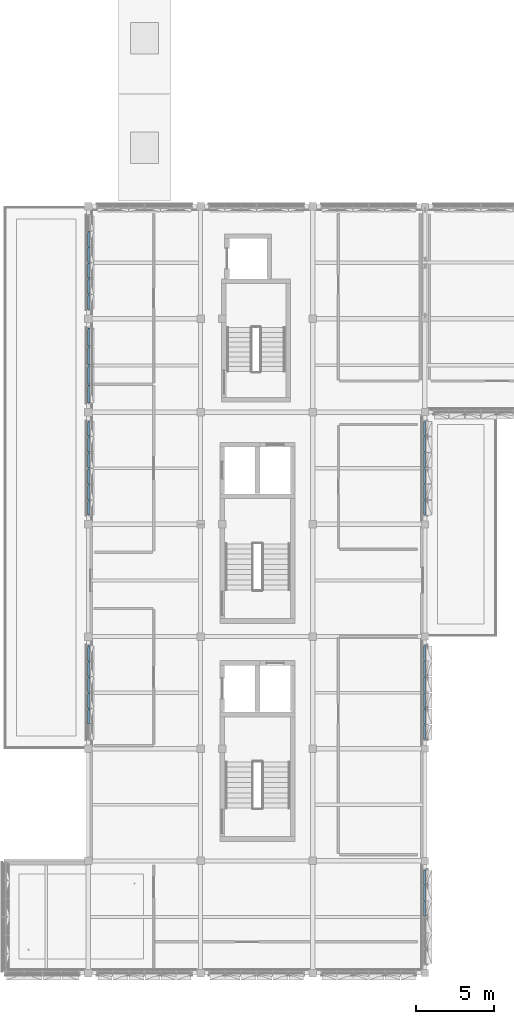
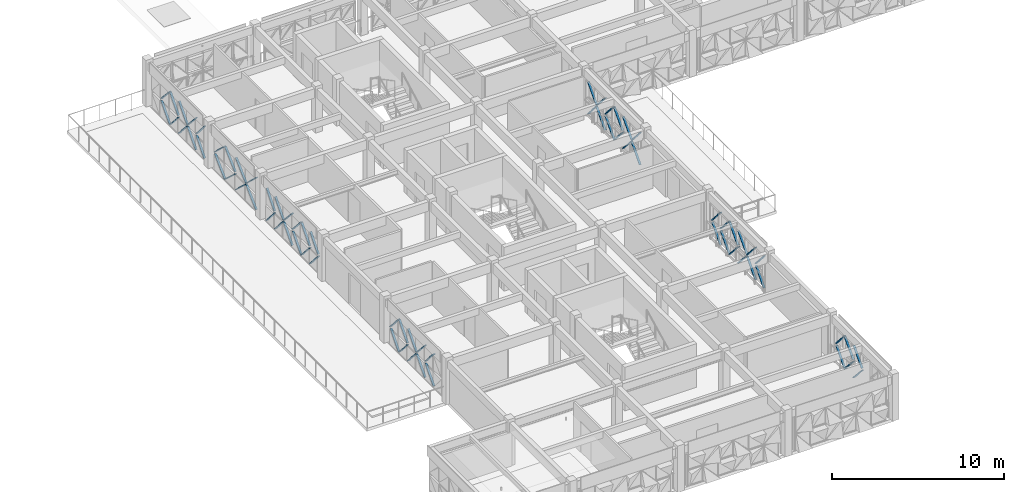
# One storey, part 22 of 35: 70 discrete accessories.
"""IFC4 building model written with IfcOpenShell, lengths in metres."""

from ifc_helpers import new_model, si_unit, direction, frame, origin, origin_2d, place, context, subcontext, project, spatial, rectangle, extrude, material, type_object, element, save


model = new_model("IFC4")

# Units and contexts
model_context = context("Model", 3, precision=1e-05, world=origin(), true_north=direction((0.0, 1.0)))
body_context = subcontext(model_context, "Body", "Model", "MODEL_VIEW")
ifc_project = project(units=[si_unit("LENGTHUNIT", "METRE"), si_unit("AREAUNIT", "SQUARE_METRE"), si_unit("VOLUMEUNIT", "CUBIC_METRE"), si_unit("PLANEANGLEUNIT", "RADIAN"), si_unit("MASSUNIT", "GRAM", prefix="KILO")], contexts=[model_context])

# Site, building, storey
site_placement = place(None, origin())
site = spatial("IfcSite", under=ifc_project, at=site_placement, CompositionType="ELEMENT")
building_placement = place(site_placement, origin())
building = spatial("IfcBuilding", under=site, at=building_placement, Name="Alvorim Cloister Faculty of Sciences", CompositionType="ELEMENT")
storey_placement = place(building_placement, frame((0.0, 0.0, 22.949951171875)))
storey = spatial("IfcBuildingStorey", under=building, at=storey_placement, Name="L06", CompositionType="ELEMENT", Elevation=22.949951171875)

# Discrete accessories
ifc_material = material(Name="Aluminium Alloy 6063-T6", Category="aluminium")
discrete_accessory_type = type_object("IfcDiscreteAccessoryType", Name="ACC-DIAG-BAR", PredefinedType="BRACKET", material=ifc_material)
discrete_accessory_1_placement = place(storey_placement, frame((7.222412109375, 23.1923828125, 0.14013671875), z_axis=(0.006997313603, 0.66764611748, 0.744445900933), x_axis=(-0.999945083323, 0.010479997039, 0.0)))
element("IfcDiscreteAccessory", 1, at=discrete_accessory_1_placement, inside=storey, type_object=discrete_accessory_type, Name="Diagonal Cassette Glazing Bracket ACC-02633", PredefinedType="BRACKET", context=body_context, shape_type="SweptSolid", body=[
    extrude(rectangle(XDim=0.139892578125, YDim=0.044921875, at=origin_2d()), origin(), (0.0, 0.0, 1.0), 1.430419921875),
])
discrete_accessory_2_placement = place(storey_placement, frame((7.222412109375, 23.1923828125, 2.41015625), z_axis=(0.00699642465, 0.667561298321, -0.744521969472), x_axis=(-0.999945083323, 0.010479997039, 0.0)))
element("IfcDiscreteAccessory", 2, at=discrete_accessory_2_placement, inside=storey, type_object=discrete_accessory_type, Name="Diagonal Cassette Glazing Bracket ACC-02634", PredefinedType="BRACKET", context=body_context, shape_type="SweptSolid", body=[
    extrude(rectangle(XDim=0.139892578125, YDim=0.044921875, at=origin_2d()), origin(), (0.0, 0.0, 1.0), 1.4306640625),
])
discrete_accessory_3_placement = place(storey_placement, frame((7.222412109375, 24.21240234375, 0.14013671875), z_axis=(0.006997313603, 0.66764611748, 0.744445900933), x_axis=(-0.999945083323, 0.010479997039, 0.0)))
element("IfcDiscreteAccessory", 3, at=discrete_accessory_3_placement, inside=storey, type_object=discrete_accessory_type, Name="Diagonal Cassette Glazing Bracket ACC-02635", PredefinedType="BRACKET", context=body_context, shape_type="SweptSolid", body=[
    extrude(rectangle(XDim=0.139892578125, YDim=0.044921875, at=origin_2d()), origin(), (0.0, 0.0, 1.0), 1.430419921875),
])
discrete_accessory_4_placement = place(storey_placement, frame((7.222412109375, 24.21240234375, 2.41015625), z_axis=(0.00699642465, 0.667561298321, -0.744521969472), x_axis=(-0.999945083323, 0.010479997039, 0.0)))
element("IfcDiscreteAccessory", 4, at=discrete_accessory_4_placement, inside=storey, type_object=discrete_accessory_type, Name="Diagonal Cassette Glazing Bracket ACC-02636", PredefinedType="BRACKET", context=body_context, shape_type="SweptSolid", body=[
    extrude(rectangle(XDim=0.139892578125, YDim=0.044921875, at=origin_2d()), origin(), (0.0, 0.0, 1.0), 1.4306640625),
])
discrete_accessory_5_placement = place(storey_placement, frame((7.222412109375, 25.232421875, 1.205078125), z_axis=(0.006997313603, 0.66764611748, -0.744445900933), x_axis=(-0.999945083323, 0.010479997039, 0.0)))
element("IfcDiscreteAccessory", 5, at=discrete_accessory_5_placement, inside=storey, type_object=discrete_accessory_type, Name="Diagonal Cassette Glazing Bracket ACC-02637", PredefinedType="BRACKET", context=body_context, shape_type="SweptSolid", body=[
    extrude(rectangle(XDim=0.139892578125, YDim=0.044921875, at=origin_2d()), origin(), (0.0, 0.0, 1.0), 1.430419921875),
])
discrete_accessory_6_placement = place(storey_placement, frame((7.222412109375, 25.232421875, 1.344970703125), z_axis=(0.00699642465, 0.667561298321, 0.744521969472), x_axis=(-0.999945083323, 0.010479997039, 0.0)))
element("IfcDiscreteAccessory", 6, at=discrete_accessory_6_placement, inside=storey, type_object=discrete_accessory_type, Name="Diagonal Cassette Glazing Bracket ACC-02638", PredefinedType="BRACKET", context=body_context, shape_type="SweptSolid", body=[
    extrude(rectangle(XDim=0.139892578125, YDim=0.044921875, at=origin_2d()), origin(), (0.0, 0.0, 1.0), 1.4306640625),
])
discrete_accessory_7_placement = place(storey_placement, frame((7.222412109375, 26.25244140625, 1.205078125), z_axis=(0.006997313603, 0.66764611748, -0.744445900933), x_axis=(-0.999945083323, 0.010479997039, 0.0)))
element("IfcDiscreteAccessory", 7, at=discrete_accessory_7_placement, inside=storey, type_object=discrete_accessory_type, Name="Diagonal Cassette Glazing Bracket ACC-02639", PredefinedType="BRACKET", context=body_context, shape_type="SweptSolid", body=[
    extrude(rectangle(XDim=0.139892578125, YDim=0.044921875, at=origin_2d()), origin(), (0.0, 0.0, 1.0), 1.430419921875),
])
discrete_accessory_8_placement = place(storey_placement, frame((7.222412109375, 26.25244140625, 1.344970703125), z_axis=(0.00699642465, 0.667561298321, 0.744521969472), x_axis=(-0.999945083323, 0.010479997039, 0.0)))
element("IfcDiscreteAccessory", 8, at=discrete_accessory_8_placement, inside=storey, type_object=discrete_accessory_type, Name="Diagonal Cassette Glazing Bracket ACC-02640", PredefinedType="BRACKET", context=body_context, shape_type="SweptSolid", body=[
    extrude(rectangle(XDim=0.139892578125, YDim=0.044921875, at=origin_2d()), origin(), (0.0, 0.0, 1.0), 1.4306640625),
])
discrete_accessory_9_placement = place(storey_placement, frame((7.222412109375, 27.2724609375, 0.14013671875), z_axis=(0.007103941389, 0.654775475811, 0.755790057022), x_axis=(-0.999941150118, 0.010848792579, 0.0)))
element("IfcDiscreteAccessory", 9, at=discrete_accessory_9_placement, inside=storey, type_object=discrete_accessory_type, Name="Diagonal Cassette Glazing Bracket ACC-02641", PredefinedType="BRACKET", context=body_context, shape_type="SweptSolid", body=[
    extrude(rectangle(XDim=0.139892578125, YDim=0.044921875, at=origin_2d()), origin(), (0.0, 0.0, 1.0), 1.408935546875),
])
discrete_accessory_10_placement = place(storey_placement, frame((7.222412109375, 27.2724609375, 2.41015625), z_axis=(0.00710301118, 0.654689737769, -0.755864336037), x_axis=(-0.999941150118, 0.010848792579, 0.0)))
element("IfcDiscreteAccessory", 10, at=discrete_accessory_10_placement, inside=storey, type_object=discrete_accessory_type, Name="Diagonal Cassette Glazing Bracket ACC-02642", PredefinedType="BRACKET", context=body_context, shape_type="SweptSolid", body=[
    extrude(rectangle(XDim=0.139892578125, YDim=0.044921875, at=origin_2d()), origin(), (0.0, 0.0, 1.0), 1.4091796875),
])
discrete_accessory_11_placement = place(storey_placement, frame((7.222412109375, 36.60498046875, 1.205078125), z_axis=(0.007103941389, 0.654775475811, -0.755790057022), x_axis=(-0.999941150118, 0.010848792579, 0.0)))
element("IfcDiscreteAccessory", 11, at=discrete_accessory_11_placement, inside=storey, type_object=discrete_accessory_type, Name="Diagonal Cassette Glazing Bracket ACC-02644", PredefinedType="BRACKET", context=body_context, shape_type="SweptSolid", body=[
    extrude(rectangle(XDim=0.139892578125, YDim=0.044921875, at=origin_2d()), origin(), (0.0, 0.0, 1.0), 1.408935546875),
])
discrete_accessory_12_placement = place(storey_placement, frame((7.222412109375, 36.60498046875, 1.344970703125), z_axis=(0.00710301118, 0.654689737769, 0.755864336037), x_axis=(-0.999941150118, 0.010848792579, 0.0)))
element("IfcDiscreteAccessory", 12, at=discrete_accessory_12_placement, inside=storey, type_object=discrete_accessory_type, Name="Diagonal Cassette Glazing Bracket ACC-02645", PredefinedType="BRACKET", context=body_context, shape_type="SweptSolid", body=[
    extrude(rectangle(XDim=0.139892578125, YDim=0.044921875, at=origin_2d()), origin(), (0.0, 0.0, 1.0), 1.4091796875),
])
discrete_accessory_13_placement = place(storey_placement, frame((7.222412109375, 37.592529296875, 1.205078125), z_axis=(0.006997313603, 0.66764611748, -0.744445900933), x_axis=(-0.999945083323, 0.010479997039, 0.0)))
element("IfcDiscreteAccessory", 13, at=discrete_accessory_13_placement, inside=storey, type_object=discrete_accessory_type, Name="Diagonal Cassette Glazing Bracket ACC-02646", PredefinedType="BRACKET", context=body_context, shape_type="SweptSolid", body=[
    extrude(rectangle(XDim=0.139892578125, YDim=0.044921875, at=origin_2d()), origin(), (0.0, 0.0, 1.0), 1.430419921875),
])
discrete_accessory_14_placement = place(storey_placement, frame((7.222412109375, 37.592529296875, 1.344970703125), z_axis=(0.00699642465, 0.667561298321, 0.744521969472), x_axis=(-0.999945083323, 0.010479997039, 0.0)))
element("IfcDiscreteAccessory", 14, at=discrete_accessory_14_placement, inside=storey, type_object=discrete_accessory_type, Name="Diagonal Cassette Glazing Bracket ACC-02647", PredefinedType="BRACKET", context=body_context, shape_type="SweptSolid", body=[
    extrude(rectangle(XDim=0.139892578125, YDim=0.044921875, at=origin_2d()), origin(), (0.0, 0.0, 1.0), 1.4306640625),
])
for number, where, z_axis, x_axis, name in (
    (15, (7.222412109375, 38.612548828125, 0.14013671875), (0.006998110944, 0.667551509806, 0.744530730191), (-0.999945055239, 0.010482676365, 0.0), "Diagonal Cassette Glazing Bracket ACC-02648"),
    (16, (7.222412109375, 38.612548828125, 2.41015625), (0.006997221687, 0.667466683341, -0.744606785839), (-0.999945055239, 0.010482676365, 0.0), "Diagonal Cassette Glazing Bracket ACC-02649"),
    (17, (7.222412109375, 39.632568359375, 0.14013671875), (0.006998110944, 0.667551509806, 0.744530730191), (-0.999945055239, 0.010482676365, 0.0), "Diagonal Cassette Glazing Bracket ACC-02650"),
    (18, (7.222412109375, 39.632568359375, 2.41015625), (0.006997221687, 0.667466683341, -0.744606785839), (-0.999945055239, 0.010482676365, 0.0), "Diagonal Cassette Glazing Bracket ACC-02651"),
    (19, (7.222412109375, 40.652587890625, 1.205078125), (0.006998110944, 0.667551509806, -0.744530730191), (-0.999945055239, 0.010482676365, 0.0), "Diagonal Cassette Glazing Bracket ACC-02652"),
    (20, (7.222412109375, 40.652587890625, 1.344970703125), (0.006997221687, 0.667466683341, 0.744606785839), (-0.999945055239, 0.010482676365, 0.0), "Diagonal Cassette Glazing Bracket ACC-02653"),
):
    element("IfcDiscreteAccessory", number, at=place(storey_placement, frame(where, z_axis=z_axis, x_axis=x_axis)), inside=storey, type_object=discrete_accessory_type, Name=name, PredefinedType="BRACKET", context=body_context, shape_type="SweptSolid", body=[
        extrude(rectangle(XDim=0.139892578125, YDim=0.044921875, at=origin_2d()), origin(), (0.0, 0.0, 1.0), 1.430419921875),
    ])
discrete_accessory_15_placement = place(storey_placement, frame((7.222412109375, 41.672607421875, 1.205078125), z_axis=(0.007104747368, 0.654676476964, -0.755875805325), x_axis=(-0.999941118963, 0.010851663811, 0.0)))
element("IfcDiscreteAccessory", 21, at=discrete_accessory_15_placement, inside=storey, type_object=discrete_accessory_type, Name="Diagonal Cassette Glazing Bracket ACC-02654", PredefinedType="BRACKET", context=body_context, shape_type="SweptSolid", body=[
    extrude(rectangle(XDim=0.139892578125, YDim=0.044921875, at=origin_2d()), origin(), (0.0, 0.0, 1.0), 1.408935546875),
])
discrete_accessory_16_placement = place(storey_placement, frame((7.222412109375, 41.672607421875, 1.344970703125), z_axis=(0.007103816842, 0.654590732436, 0.755950070306), x_axis=(-0.999941118963, 0.010851663811, 0.0)))
element("IfcDiscreteAccessory", 22, at=discrete_accessory_16_placement, inside=storey, type_object=discrete_accessory_type, Name="Diagonal Cassette Glazing Bracket ACC-02655", PredefinedType="BRACKET", context=body_context, shape_type="SweptSolid", body=[
    extrude(rectangle(XDim=0.139892578125, YDim=0.044921875, at=origin_2d()), origin(), (0.0, 0.0, 1.0), 1.4091796875),
])
for number, where, z_axis, x_axis, name in (
    (23, (7.222412109375, 43.804931640625, 0.14013671875), (0.006438631, 0.728507541638, 0.685007522446), (-0.999960946179, 0.0088377665, 0.0), "Diagonal Cassette Glazing Bracket ACC-02657"),
    (24, (7.222412109375, 43.804931640625, 2.41015625), (0.006437938406, 0.728429177245, -0.685090860169), (-0.999960946179, 0.0088377665, 0.0), "Diagonal Cassette Glazing Bracket ACC-02658"),
):
    element("IfcDiscreteAccessory", number, at=place(storey_placement, frame(where, z_axis=z_axis, x_axis=x_axis)), inside=storey, type_object=discrete_accessory_type, Name=name, PredefinedType="BRACKET", context=body_context, shape_type="SweptSolid", body=[
        extrude(rectangle(XDim=0.139892578125, YDim=0.044921875, at=origin_2d()), origin(), (0.0, 0.0, 1.0), 1.5546875),
    ])
discrete_accessory_17_placement = place(storey_placement, frame((7.222412109375, 45.00244140625, 1.205078125), z_axis=(0.006341500524, 0.738088792691, -0.674673787452), x_axis=(-0.999963092655, 0.008591468315, 0.0)))
element("IfcDiscreteAccessory", 25, at=discrete_accessory_17_placement, inside=storey, type_object=discrete_accessory_type, Name="Diagonal Cassette Glazing Bracket ACC-02659", PredefinedType="BRACKET", context=body_context, shape_type="SweptSolid", body=[
    extrude(rectangle(XDim=0.139892578125, YDim=0.044921875, at=origin_2d()), origin(), (0.0, 0.0, 1.0), 1.578369140625),
])
discrete_accessory_18_placement = place(storey_placement, frame((7.222412109375, 45.00244140625, 1.344970703125), z_axis=(0.006340838802, 0.738011774658, 0.674758041248), x_axis=(-0.999963092655, 0.008591468315, 0.0)))
element("IfcDiscreteAccessory", 26, at=discrete_accessory_18_placement, inside=storey, type_object=discrete_accessory_type, Name="Diagonal Cassette Glazing Bracket ACC-02660", PredefinedType="BRACKET", context=body_context, shape_type="SweptSolid", body=[
    extrude(rectangle(XDim=0.139892578125, YDim=0.044921875, at=origin_2d()), origin(), (0.0, 0.0, 1.0), 1.57861328125),
])
discrete_accessory_19_placement = place(storey_placement, frame((7.222412109375, 46.232421875, 1.205078125), z_axis=(0.006341500524, 0.738088792691, -0.674673787452), x_axis=(-0.999963092655, 0.008591468315, 0.0)))
element("IfcDiscreteAccessory", 27, at=discrete_accessory_19_placement, inside=storey, type_object=discrete_accessory_type, Name="Diagonal Cassette Glazing Bracket ACC-02661", PredefinedType="BRACKET", context=body_context, shape_type="SweptSolid", body=[
    extrude(rectangle(XDim=0.139892578125, YDim=0.044921875, at=origin_2d()), origin(), (0.0, 0.0, 1.0), 1.578369140625),
])
discrete_accessory_20_placement = place(storey_placement, frame((7.222412109375, 46.232421875, 1.344970703125), z_axis=(0.006340838802, 0.738011774658, 0.674758041248), x_axis=(-0.999963092655, 0.008591468315, 0.0)))
element("IfcDiscreteAccessory", 28, at=discrete_accessory_20_placement, inside=storey, type_object=discrete_accessory_type, Name="Diagonal Cassette Glazing Bracket ACC-02662", PredefinedType="BRACKET", context=body_context, shape_type="SweptSolid", body=[
    extrude(rectangle(XDim=0.139892578125, YDim=0.044921875, at=origin_2d()), origin(), (0.0, 0.0, 1.0), 1.57861328125),
])
for number, where, z_axis, x_axis, name in (
    (29, (7.222412109375, 47.46240234375, 0.14013671875), (0.006438631, 0.728507541638, 0.685007522446), (-0.999960946179, 0.0088377665, 0.0), "Diagonal Cassette Glazing Bracket ACC-02663"),
    (30, (7.222412109375, 47.46240234375, 2.41015625), (0.006437938406, 0.728429177245, -0.685090860169), (-0.999960946179, 0.0088377665, 0.0), "Diagonal Cassette Glazing Bracket ACC-02664"),
):
    element("IfcDiscreteAccessory", number, at=place(storey_placement, frame(where, z_axis=z_axis, x_axis=x_axis)), inside=storey, type_object=discrete_accessory_type, Name=name, PredefinedType="BRACKET", context=body_context, shape_type="SweptSolid", body=[
        extrude(rectangle(XDim=0.139892578125, YDim=0.044921875, at=origin_2d()), origin(), (0.0, 0.0, 1.0), 1.5546875),
    ])
discrete_accessory_21_placement = place(storey_placement, frame((7.222412109375, 49.804931640625, 0.14013671875), z_axis=(0.007103941389, 0.654775475811, 0.755790057022), x_axis=(-0.999941150118, 0.010848792579, 0.0)))
element("IfcDiscreteAccessory", 31, at=discrete_accessory_21_placement, inside=storey, type_object=discrete_accessory_type, Name="Diagonal Cassette Glazing Bracket ACC-02666", PredefinedType="BRACKET", context=body_context, shape_type="SweptSolid", body=[
    extrude(rectangle(XDim=0.139892578125, YDim=0.044921875, at=origin_2d()), origin(), (0.0, 0.0, 1.0), 1.408935546875),
])
discrete_accessory_22_placement = place(storey_placement, frame((7.222412109375, 49.804931640625, 2.41015625), z_axis=(0.00710301118, 0.654689737769, -0.755864336037), x_axis=(-0.999941150118, 0.010848792579, 0.0)))
element("IfcDiscreteAccessory", 32, at=discrete_accessory_22_placement, inside=storey, type_object=discrete_accessory_type, Name="Diagonal Cassette Glazing Bracket ACC-02667", PredefinedType="BRACKET", context=body_context, shape_type="SweptSolid", body=[
    extrude(rectangle(XDim=0.139892578125, YDim=0.044921875, at=origin_2d()), origin(), (0.0, 0.0, 1.0), 1.4091796875),
])
discrete_accessory_23_placement = place(storey_placement, frame((7.222412109375, 50.79248046875, 0.14013671875), z_axis=(0.006997313603, 0.66764611748, 0.744445900933), x_axis=(-0.999945083323, 0.010479997039, 0.0)))
element("IfcDiscreteAccessory", 33, at=discrete_accessory_23_placement, inside=storey, type_object=discrete_accessory_type, Name="Diagonal Cassette Glazing Bracket ACC-02668", PredefinedType="BRACKET", context=body_context, shape_type="SweptSolid", body=[
    extrude(rectangle(XDim=0.139892578125, YDim=0.044921875, at=origin_2d()), origin(), (0.0, 0.0, 1.0), 1.430419921875),
])
discrete_accessory_24_placement = place(storey_placement, frame((7.222412109375, 50.79248046875, 2.41015625), z_axis=(0.00699642465, 0.667561298321, -0.744521969472), x_axis=(-0.999945083323, 0.010479997039, 0.0)))
element("IfcDiscreteAccessory", 34, at=discrete_accessory_24_placement, inside=storey, type_object=discrete_accessory_type, Name="Diagonal Cassette Glazing Bracket ACC-02669", PredefinedType="BRACKET", context=body_context, shape_type="SweptSolid", body=[
    extrude(rectangle(XDim=0.139892578125, YDim=0.044921875, at=origin_2d()), origin(), (0.0, 0.0, 1.0), 1.4306640625),
])
discrete_accessory_25_placement = place(storey_placement, frame((7.222412109375, 51.8125, 1.205078125), z_axis=(0.006997313603, 0.66764611748, -0.744445900933), x_axis=(-0.999945083323, 0.010479997039, 0.0)))
element("IfcDiscreteAccessory", 35, at=discrete_accessory_25_placement, inside=storey, type_object=discrete_accessory_type, Name="Diagonal Cassette Glazing Bracket ACC-02670", PredefinedType="BRACKET", context=body_context, shape_type="SweptSolid", body=[
    extrude(rectangle(XDim=0.139892578125, YDim=0.044921875, at=origin_2d()), origin(), (0.0, 0.0, 1.0), 1.430419921875),
])
discrete_accessory_26_placement = place(storey_placement, frame((7.222412109375, 51.8125, 1.344970703125), z_axis=(0.00699642465, 0.667561298321, 0.744521969472), x_axis=(-0.999945083323, 0.010479997039, 0.0)))
element("IfcDiscreteAccessory", 36, at=discrete_accessory_26_placement, inside=storey, type_object=discrete_accessory_type, Name="Diagonal Cassette Glazing Bracket ACC-02671", PredefinedType="BRACKET", context=body_context, shape_type="SweptSolid", body=[
    extrude(rectangle(XDim=0.139892578125, YDim=0.044921875, at=origin_2d()), origin(), (0.0, 0.0, 1.0), 1.4306640625),
])
discrete_accessory_27_placement = place(storey_placement, frame((7.222412109375, 52.83251953125, 1.205078125), z_axis=(0.006997313603, 0.66764611748, -0.744445900933), x_axis=(-0.999945083323, 0.010479997039, 0.0)))
element("IfcDiscreteAccessory", 37, at=discrete_accessory_27_placement, inside=storey, type_object=discrete_accessory_type, Name="Diagonal Cassette Glazing Bracket ACC-02672", PredefinedType="BRACKET", context=body_context, shape_type="SweptSolid", body=[
    extrude(rectangle(XDim=0.139892578125, YDim=0.044921875, at=origin_2d()), origin(), (0.0, 0.0, 1.0), 1.430419921875),
])
discrete_accessory_28_placement = place(storey_placement, frame((7.222412109375, 52.83251953125, 1.344970703125), z_axis=(0.00699642465, 0.667561298321, 0.744521969472), x_axis=(-0.999945083323, 0.010479997039, 0.0)))
element("IfcDiscreteAccessory", 38, at=discrete_accessory_28_placement, inside=storey, type_object=discrete_accessory_type, Name="Diagonal Cassette Glazing Bracket ACC-02673", PredefinedType="BRACKET", context=body_context, shape_type="SweptSolid", body=[
    extrude(rectangle(XDim=0.139892578125, YDim=0.044921875, at=origin_2d()), origin(), (0.0, 0.0, 1.0), 1.4306640625),
])
discrete_accessory_29_placement = place(storey_placement, frame((7.222412109375, 53.8525390625, 0.14013671875), z_axis=(0.006997313603, 0.66764611748, 0.744445900933), x_axis=(-0.999945083323, 0.010479997039, 0.0)))
element("IfcDiscreteAccessory", 39, at=discrete_accessory_29_placement, inside=storey, type_object=discrete_accessory_type, Name="Diagonal Cassette Glazing Bracket ACC-02674", PredefinedType="BRACKET", context=body_context, shape_type="SweptSolid", body=[
    extrude(rectangle(XDim=0.139892578125, YDim=0.044921875, at=origin_2d()), origin(), (0.0, 0.0, 1.0), 1.430419921875),
])
discrete_accessory_30_placement = place(storey_placement, frame((7.222412109375, 53.8525390625, 2.41015625), z_axis=(0.00699642465, 0.667561298321, -0.744521969472), x_axis=(-0.999945083323, 0.010479997039, 0.0)))
element("IfcDiscreteAccessory", 40, at=discrete_accessory_30_placement, inside=storey, type_object=discrete_accessory_type, Name="Diagonal Cassette Glazing Bracket ACC-02675", PredefinedType="BRACKET", context=body_context, shape_type="SweptSolid", body=[
    extrude(rectangle(XDim=0.139892578125, YDim=0.044921875, at=origin_2d()), origin(), (0.0, 0.0, 1.0), 1.4306640625),
])
discrete_accessory_31_placement = place(storey_placement, frame((28.777587890625, 36.60498046875, 0.14013671875), z_axis=(-0.007103941389, 0.654775475811, 0.755790057022), x_axis=(-0.999941150118, -0.010848792579, 0.0)))
element("IfcDiscreteAccessory", 41, at=discrete_accessory_31_placement, inside=storey, type_object=discrete_accessory_type, Name="Diagonal Cassette Glazing Bracket ACC-02809", PredefinedType="BRACKET", context=body_context, shape_type="SweptSolid", body=[
    extrude(rectangle(XDim=0.139892578125, YDim=0.044921875, at=origin_2d()), origin(), (0.0, 0.0, 1.0), 1.408935546875),
])
discrete_accessory_32_placement = place(storey_placement, frame((28.777587890625, 36.60498046875, 2.41015625), z_axis=(-0.00710301118, 0.654689737769, -0.755864336037), x_axis=(-0.999941150118, -0.010848792579, 0.0)))
element("IfcDiscreteAccessory", 42, at=discrete_accessory_32_placement, inside=storey, type_object=discrete_accessory_type, Name="Diagonal Cassette Glazing Bracket ACC-02810", PredefinedType="BRACKET", context=body_context, shape_type="SweptSolid", body=[
    extrude(rectangle(XDim=0.139892578125, YDim=0.044921875, at=origin_2d()), origin(), (0.0, 0.0, 1.0), 1.4091796875),
])
discrete_accessory_33_placement = place(storey_placement, frame((28.777587890625, 37.592529296875, 1.205078125), z_axis=(-0.006997313603, 0.66764611748, -0.744445900933), x_axis=(-0.999945083323, -0.010479997039, 0.0)))
element("IfcDiscreteAccessory", 43, at=discrete_accessory_33_placement, inside=storey, type_object=discrete_accessory_type, Name="Diagonal Cassette Glazing Bracket ACC-02811", PredefinedType="BRACKET", context=body_context, shape_type="SweptSolid", body=[
    extrude(rectangle(XDim=0.139892578125, YDim=0.044921875, at=origin_2d()), origin(), (0.0, 0.0, 1.0), 1.430419921875),
])
discrete_accessory_34_placement = place(storey_placement, frame((28.777587890625, 37.592529296875, 1.344970703125), z_axis=(-0.00699642465, 0.667561298321, 0.744521969472), x_axis=(-0.999945083323, -0.010479997039, 0.0)))
element("IfcDiscreteAccessory", 44, at=discrete_accessory_34_placement, inside=storey, type_object=discrete_accessory_type, Name="Diagonal Cassette Glazing Bracket ACC-02812", PredefinedType="BRACKET", context=body_context, shape_type="SweptSolid", body=[
    extrude(rectangle(XDim=0.139892578125, YDim=0.044921875, at=origin_2d()), origin(), (0.0, 0.0, 1.0), 1.4306640625),
])
for number, where, z_axis, x_axis, name in (
    (45, (28.777587890625, 38.612548828125, 1.205078125), (-0.006998110944, 0.667551509806, -0.744530730191), (-0.999945055239, -0.010482676365, 0.0), "Diagonal Cassette Glazing Bracket ACC-02813"),
    (46, (28.777587890625, 38.612548828125, 1.344970703125), (-0.006997221687, 0.667466683341, 0.744606785839), (-0.999945055239, -0.010482676365, 0.0), "Diagonal Cassette Glazing Bracket ACC-02814"),
    (47, (28.777587890625, 39.632568359375, 0.14013671875), (-0.006998110944, 0.667551509806, 0.744530730191), (-0.999945055239, -0.010482676365, 0.0), "Diagonal Cassette Glazing Bracket ACC-02815"),
    (48, (28.777587890625, 39.632568359375, 2.41015625), (-0.006997221687, 0.667466683341, -0.744606785839), (-0.999945055239, -0.010482676365, 0.0), "Diagonal Cassette Glazing Bracket ACC-02816"),
    (49, (28.777587890625, 40.652587890625, 0.14013671875), (-0.006998110944, 0.667551509806, 0.744530730191), (-0.999945055239, -0.010482676365, 0.0), "Diagonal Cassette Glazing Bracket ACC-02817"),
    (50, (28.777587890625, 40.652587890625, 2.41015625), (-0.006997221687, 0.667466683341, -0.744606785839), (-0.999945055239, -0.010482676365, 0.0), "Diagonal Cassette Glazing Bracket ACC-02818"),
):
    element("IfcDiscreteAccessory", number, at=place(storey_placement, frame(where, z_axis=z_axis, x_axis=x_axis)), inside=storey, type_object=discrete_accessory_type, Name=name, PredefinedType="BRACKET", context=body_context, shape_type="SweptSolid", body=[
        extrude(rectangle(XDim=0.139892578125, YDim=0.044921875, at=origin_2d()), origin(), (0.0, 0.0, 1.0), 1.430419921875),
    ])
discrete_accessory_35_placement = place(storey_placement, frame((28.777587890625, 41.672607421875, 1.205078125), z_axis=(-0.007104747368, 0.654676476964, -0.755875805325), x_axis=(-0.999941118963, -0.010851663811, 0.0)))
element("IfcDiscreteAccessory", 51, at=discrete_accessory_35_placement, inside=storey, type_object=discrete_accessory_type, Name="Diagonal Cassette Glazing Bracket ACC-02819", PredefinedType="BRACKET", context=body_context, shape_type="SweptSolid", body=[
    extrude(rectangle(XDim=0.139892578125, YDim=0.044921875, at=origin_2d()), origin(), (0.0, 0.0, 1.0), 1.408935546875),
])
discrete_accessory_36_placement = place(storey_placement, frame((28.777587890625, 41.672607421875, 1.344970703125), z_axis=(-0.007103816842, 0.654590732436, 0.755950070306), x_axis=(-0.999941118963, -0.010851663811, 0.0)))
element("IfcDiscreteAccessory", 52, at=discrete_accessory_36_placement, inside=storey, type_object=discrete_accessory_type, Name="Diagonal Cassette Glazing Bracket ACC-02820", PredefinedType="BRACKET", context=body_context, shape_type="SweptSolid", body=[
    extrude(rectangle(XDim=0.139892578125, YDim=0.044921875, at=origin_2d()), origin(), (0.0, 0.0, 1.0), 1.4091796875),
])
discrete_accessory_37_placement = place(storey_placement, frame((28.777587890625, 22.205078125, 0.14013671875), z_axis=(-0.007104747368, 0.654676476964, 0.755875805325), x_axis=(-0.999941118963, -0.010851663811, 0.0)))
element("IfcDiscreteAccessory", 53, at=discrete_accessory_37_placement, inside=storey, type_object=discrete_accessory_type, Name="Diagonal Cassette Glazing Bracket ACC-02822", PredefinedType="BRACKET", context=body_context, shape_type="SweptSolid", body=[
    extrude(rectangle(XDim=0.139892578125, YDim=0.044921875, at=origin_2d()), origin(), (0.0, 0.0, 1.0), 1.408935546875),
])
discrete_accessory_38_placement = place(storey_placement, frame((28.777587890625, 22.205078125, 2.41015625), z_axis=(-0.007103816842, 0.654590732436, -0.755950070306), x_axis=(-0.999941118963, -0.010851663811, 0.0)))
element("IfcDiscreteAccessory", 54, at=discrete_accessory_38_placement, inside=storey, type_object=discrete_accessory_type, Name="Diagonal Cassette Glazing Bracket ACC-02823", PredefinedType="BRACKET", context=body_context, shape_type="SweptSolid", body=[
    extrude(rectangle(XDim=0.139892578125, YDim=0.044921875, at=origin_2d()), origin(), (0.0, 0.0, 1.0), 1.4091796875),
])
discrete_accessory_39_placement = place(storey_placement, frame((28.777587890625, 23.1923828125, 0.14013671875), z_axis=(-0.006997313603, 0.66764611748, 0.744445900933), x_axis=(-0.999945083323, -0.010479997039, 0.0)))
element("IfcDiscreteAccessory", 55, at=discrete_accessory_39_placement, inside=storey, type_object=discrete_accessory_type, Name="Diagonal Cassette Glazing Bracket ACC-02824", PredefinedType="BRACKET", context=body_context, shape_type="SweptSolid", body=[
    extrude(rectangle(XDim=0.139892578125, YDim=0.044921875, at=origin_2d()), origin(), (0.0, 0.0, 1.0), 1.430419921875),
])
discrete_accessory_40_placement = place(storey_placement, frame((28.777587890625, 23.1923828125, 2.41015625), z_axis=(-0.00699642465, 0.667561298321, -0.744521969472), x_axis=(-0.999945083323, -0.010479997039, 0.0)))
element("IfcDiscreteAccessory", 56, at=discrete_accessory_40_placement, inside=storey, type_object=discrete_accessory_type, Name="Diagonal Cassette Glazing Bracket ACC-02825", PredefinedType="BRACKET", context=body_context, shape_type="SweptSolid", body=[
    extrude(rectangle(XDim=0.139892578125, YDim=0.044921875, at=origin_2d()), origin(), (0.0, 0.0, 1.0), 1.4306640625),
])
discrete_accessory_41_placement = place(storey_placement, frame((28.777587890625, 24.21240234375, 1.205078125), z_axis=(-0.006997313603, 0.66764611748, -0.744445900933), x_axis=(-0.999945083323, -0.010479997039, 0.0)))
element("IfcDiscreteAccessory", 57, at=discrete_accessory_41_placement, inside=storey, type_object=discrete_accessory_type, Name="Diagonal Cassette Glazing Bracket ACC-02826", PredefinedType="BRACKET", context=body_context, shape_type="SweptSolid", body=[
    extrude(rectangle(XDim=0.139892578125, YDim=0.044921875, at=origin_2d()), origin(), (0.0, 0.0, 1.0), 1.430419921875),
])
discrete_accessory_42_placement = place(storey_placement, frame((28.777587890625, 24.21240234375, 1.344970703125), z_axis=(-0.00699642465, 0.667561298321, 0.744521969472), x_axis=(-0.999945083323, -0.010479997039, 0.0)))
element("IfcDiscreteAccessory", 58, at=discrete_accessory_42_placement, inside=storey, type_object=discrete_accessory_type, Name="Diagonal Cassette Glazing Bracket ACC-02827", PredefinedType="BRACKET", context=body_context, shape_type="SweptSolid", body=[
    extrude(rectangle(XDim=0.139892578125, YDim=0.044921875, at=origin_2d()), origin(), (0.0, 0.0, 1.0), 1.4306640625),
])
discrete_accessory_43_placement = place(storey_placement, frame((28.777587890625, 25.232421875, 1.205078125), z_axis=(-0.006997313603, 0.66764611748, -0.744445900933), x_axis=(-0.999945083323, -0.010479997039, 0.0)))
element("IfcDiscreteAccessory", 59, at=discrete_accessory_43_placement, inside=storey, type_object=discrete_accessory_type, Name="Diagonal Cassette Glazing Bracket ACC-02828", PredefinedType="BRACKET", context=body_context, shape_type="SweptSolid", body=[
    extrude(rectangle(XDim=0.139892578125, YDim=0.044921875, at=origin_2d()), origin(), (0.0, 0.0, 1.0), 1.430419921875),
])
discrete_accessory_44_placement = place(storey_placement, frame((28.777587890625, 25.232421875, 1.344970703125), z_axis=(-0.00699642465, 0.667561298321, 0.744521969472), x_axis=(-0.999945083323, -0.010479997039, 0.0)))
element("IfcDiscreteAccessory", 60, at=discrete_accessory_44_placement, inside=storey, type_object=discrete_accessory_type, Name="Diagonal Cassette Glazing Bracket ACC-02829", PredefinedType="BRACKET", context=body_context, shape_type="SweptSolid", body=[
    extrude(rectangle(XDim=0.139892578125, YDim=0.044921875, at=origin_2d()), origin(), (0.0, 0.0, 1.0), 1.4306640625),
])
discrete_accessory_45_placement = place(storey_placement, frame((28.777587890625, 26.25244140625, 0.14013671875), z_axis=(-0.006997313603, 0.66764611748, 0.744445900933), x_axis=(-0.999945083323, -0.010479997039, 0.0)))
element("IfcDiscreteAccessory", 61, at=discrete_accessory_45_placement, inside=storey, type_object=discrete_accessory_type, Name="Diagonal Cassette Glazing Bracket ACC-02830", PredefinedType="BRACKET", context=body_context, shape_type="SweptSolid", body=[
    extrude(rectangle(XDim=0.139892578125, YDim=0.044921875, at=origin_2d()), origin(), (0.0, 0.0, 1.0), 1.430419921875),
])
discrete_accessory_46_placement = place(storey_placement, frame((28.777587890625, 26.25244140625, 2.41015625), z_axis=(-0.00699642465, 0.667561298321, -0.744521969472), x_axis=(-0.999945083323, -0.010479997039, 0.0)))
element("IfcDiscreteAccessory", 62, at=discrete_accessory_46_placement, inside=storey, type_object=discrete_accessory_type, Name="Diagonal Cassette Glazing Bracket ACC-02831", PredefinedType="BRACKET", context=body_context, shape_type="SweptSolid", body=[
    extrude(rectangle(XDim=0.139892578125, YDim=0.044921875, at=origin_2d()), origin(), (0.0, 0.0, 1.0), 1.4306640625),
])
discrete_accessory_47_placement = place(storey_placement, frame((28.777587890625, 27.2724609375, 0.14013671875), z_axis=(-0.007103941389, 0.654775475811, 0.755790057022), x_axis=(-0.999941150118, -0.010848792579, 0.0)))
element("IfcDiscreteAccessory", 63, at=discrete_accessory_47_placement, inside=storey, type_object=discrete_accessory_type, Name="Diagonal Cassette Glazing Bracket ACC-02832", PredefinedType="BRACKET", context=body_context, shape_type="SweptSolid", body=[
    extrude(rectangle(XDim=0.139892578125, YDim=0.044921875, at=origin_2d()), origin(), (0.0, 0.0, 1.0), 1.408935546875),
])
discrete_accessory_48_placement = place(storey_placement, frame((28.777587890625, 27.2724609375, 2.41015625), z_axis=(-0.00710301118, 0.654689737769, -0.755864336037), x_axis=(-0.999941150118, -0.010848792579, 0.0)))
element("IfcDiscreteAccessory", 64, at=discrete_accessory_48_placement, inside=storey, type_object=discrete_accessory_type, Name="Diagonal Cassette Glazing Bracket ACC-02833", PredefinedType="BRACKET", context=body_context, shape_type="SweptSolid", body=[
    extrude(rectangle(XDim=0.139892578125, YDim=0.044921875, at=origin_2d()), origin(), (0.0, 0.0, 1.0), 1.4091796875),
])
discrete_accessory_49_placement = place(storey_placement, frame((28.777587890625, 10.83251953125, 1.205078125), z_axis=(-0.006997313603, 0.66764611748, -0.744445900933), x_axis=(-0.999945083323, -0.010479997039, 0.0)))
element("IfcDiscreteAccessory", 65, at=discrete_accessory_49_placement, inside=storey, type_object=discrete_accessory_type, Name="Diagonal Cassette Glazing Bracket ACC-02841", PredefinedType="BRACKET", context=body_context, shape_type="SweptSolid", body=[
    extrude(rectangle(XDim=0.139892578125, YDim=0.044921875, at=origin_2d()), origin(), (0.0, 0.0, 1.0), 1.430419921875),
])
discrete_accessory_50_placement = place(storey_placement, frame((28.777587890625, 10.83251953125, 1.344970703125), z_axis=(-0.00699642465, 0.667561298321, 0.744521969472), x_axis=(-0.999945083323, -0.010479997039, 0.0)))
element("IfcDiscreteAccessory", 66, at=discrete_accessory_50_placement, inside=storey, type_object=discrete_accessory_type, Name="Diagonal Cassette Glazing Bracket ACC-02842", PredefinedType="BRACKET", context=body_context, shape_type="SweptSolid", body=[
    extrude(rectangle(XDim=0.139892578125, YDim=0.044921875, at=origin_2d()), origin(), (0.0, 0.0, 1.0), 1.4306640625),
])
discrete_accessory_51_placement = place(storey_placement, frame((28.777587890625, 11.8525390625, 1.205078125), z_axis=(-0.006997313603, 0.66764611748, -0.744445900933), x_axis=(-0.999945083323, -0.010479997039, 0.0)))
element("IfcDiscreteAccessory", 67, at=discrete_accessory_51_placement, inside=storey, type_object=discrete_accessory_type, Name="Diagonal Cassette Glazing Bracket ACC-02843", PredefinedType="BRACKET", context=body_context, shape_type="SweptSolid", body=[
    extrude(rectangle(XDim=0.139892578125, YDim=0.044921875, at=origin_2d()), origin(), (0.0, 0.0, 1.0), 1.430419921875),
])
discrete_accessory_52_placement = place(storey_placement, frame((28.777587890625, 11.8525390625, 1.344970703125), z_axis=(-0.00699642465, 0.667561298321, 0.744521969472), x_axis=(-0.999945083323, -0.010479997039, 0.0)))
element("IfcDiscreteAccessory", 68, at=discrete_accessory_52_placement, inside=storey, type_object=discrete_accessory_type, Name="Diagonal Cassette Glazing Bracket ACC-02844", PredefinedType="BRACKET", context=body_context, shape_type="SweptSolid", body=[
    extrude(rectangle(XDim=0.139892578125, YDim=0.044921875, at=origin_2d()), origin(), (0.0, 0.0, 1.0), 1.4306640625),
])
discrete_accessory_53_placement = place(storey_placement, frame((28.777587890625, 12.87255859375, 0.14013671875), z_axis=(-0.007104747368, 0.654676476964, 0.755875805325), x_axis=(-0.999941118963, -0.010851663811, 0.0)))
element("IfcDiscreteAccessory", 69, at=discrete_accessory_53_placement, inside=storey, type_object=discrete_accessory_type, Name="Diagonal Cassette Glazing Bracket ACC-02845", PredefinedType="BRACKET", context=body_context, shape_type="SweptSolid", body=[
    extrude(rectangle(XDim=0.139892578125, YDim=0.044921875, at=origin_2d()), origin(), (0.0, 0.0, 1.0), 1.408935546875),
])
discrete_accessory_54_placement = place(storey_placement, frame((28.777587890625, 12.87255859375, 2.41015625), z_axis=(-0.007103816842, 0.654590732436, -0.755950070306), x_axis=(-0.999941118963, -0.010851663811, 0.0)))
element("IfcDiscreteAccessory", 70, at=discrete_accessory_54_placement, inside=storey, type_object=discrete_accessory_type, Name="Diagonal Cassette Glazing Bracket ACC-02846", PredefinedType="BRACKET", context=body_context, shape_type="SweptSolid", body=[
    extrude(rectangle(XDim=0.139892578125, YDim=0.044921875, at=origin_2d()), origin(), (0.0, 0.0, 1.0), 1.4091796875),
])

save(model, "model.ifc")
